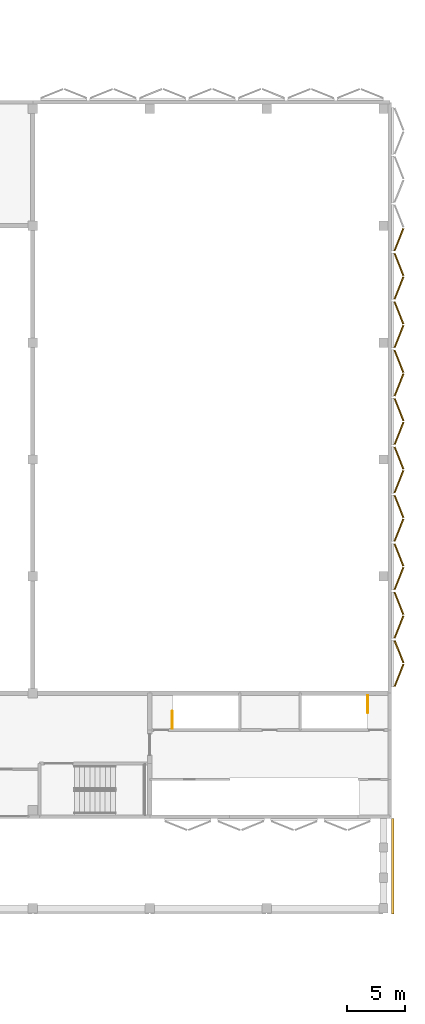
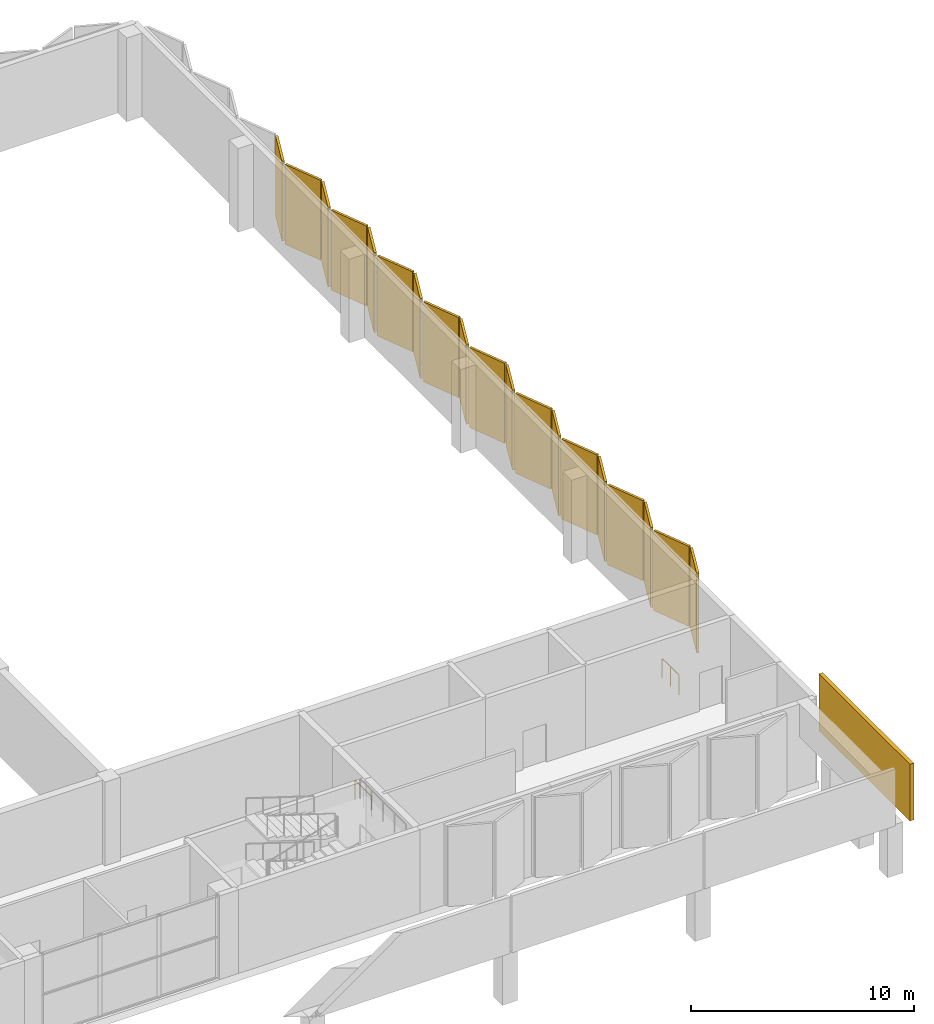
# One storey, part 34 of 36: 20 coverings, 2 railings.
"""IFC4 building model written with IfcOpenShell, lengths in metres."""

from ifc_helpers import new_model, si_unit, direction, frame, origin, origin_2d, place, context, subcontext, project, spatial, rectangle, circle, extrude, material, layer, layer_set, type_object, element, save


model = new_model("IFC4")

# Units and contexts
model_context = context("Model", 3, precision=1e-05, world=origin(), true_north=direction((0.0, 1.0)))
body_context = subcontext(model_context, "Body", "Model", "MODEL_VIEW")
ifc_project = project(units=[si_unit("LENGTHUNIT", "METRE"), si_unit("AREAUNIT", "SQUARE_METRE"), si_unit("VOLUMEUNIT", "CUBIC_METRE"), si_unit("PLANEANGLEUNIT", "RADIAN"), si_unit("MASSUNIT", "GRAM", prefix="KILO")], contexts=[model_context])

# Site, building, storey
site_placement = place(None, origin())
site = spatial("IfcSite", under=ifc_project, at=site_placement, CompositionType="ELEMENT")
building_placement = place(site_placement, origin())
building = spatial("IfcBuilding", under=site, at=building_placement, Name="Jabali Bay Hotel Tower and Convention Centre", CompositionType="ELEMENT")
storey_placement = place(building_placement, frame((0.0, 0.0, 20.39990234375)))
storey = spatial("IfcBuildingStorey", under=building, at=storey_placement, Name="L03", CompositionType="ELEMENT", Elevation=20.39990234375)

# Coverings
ifc_material_1 = material(Name="Precast concrete C40/50", Category="concrete")
ifc_layer_1 = layer(ifc_material_1, 0.1201171875)
ifc_layer_set_1 = layer_set([ifc_layer_1], Name="Precast concrete C40/50")
covering_type_1 = type_object("IfcCoveringType", Name="CC Screen blade 4000 x 4390", PredefinedType="CLADDING", material=ifc_layer_set_1)
for number, where, z_axis, x_axis, name in (
    (1, (252.021728515625, 61.5322265625, 0.10009765625), (0.0, 0.0, 1.0), (0.371390668473, 0.928476694038, 0.0), "CC pierced screen E03.1 blade 1"),
    (2, (252.021728515625, 63.55224609375, 0.10009765625), (0.0, 0.0, 1.0), (0.371390668473, -0.928476694038, 0.0), "CC pierced screen E03.1 blade 2"),
    (3, (252.021728515625, 65.674560546875, 0.10009765625), (0.0, 0.0, 1.0), (0.371390668473, 0.928476694038, 0.0), "CC pierced screen E03.2 blade 1"),
    (4, (252.021728515625, 67.694580078125, 0.10009765625), (0.0, 0.0, 1.0), (0.371390668473, -0.928476694038, 0.0), "CC pierced screen E03.2 blade 2"),
    (5, (252.021728515625, 69.81689453125, 0.10009765625), (0.0, 0.0, 1.0), (0.371390668473, 0.928476694038, 0.0), "CC pierced screen E03.3 blade 1"),
    (6, (252.021728515625, 71.8369140625, 0.10009765625), (0.0, 0.0, 1.0), (0.371390668473, -0.928476694038, 0.0), "CC pierced screen E03.3 blade 2"),
    (7, (252.021728515625, 73.959228515625, 0.10009765625), (0.0, 0.0, 1.0), (0.371390668473, 0.928476694038, 0.0), "CC pierced screen E03.4 blade 1"),
    (8, (252.021728515625, 75.979248046875, 0.10009765625), (0.0, 0.0, 1.0), (0.371390668473, -0.928476694038, 0.0), "CC pierced screen E03.4 blade 2"),
    (9, (252.021728515625, 78.1015625, 0.10009765625), (0.0, 0.0, 1.0), (0.371390668473, 0.928476694038, 0.0), "CC pierced screen E03.5 blade 1"),
    (10, (252.021728515625, 80.12158203125, 0.10009765625), (0.0, 0.0, 1.0), (0.371390668473, -0.928476694038, 0.0), "CC pierced screen E03.5 blade 2"),
    (11, (252.021728515625, 82.243896484375, 0.10009765625), (0.0, 0.0, 1.0), (0.371390668473, 0.928476694038, 0.0), "CC pierced screen E03.6 blade 1"),
    (12, (252.021728515625, 84.263916015625, 0.10009765625), (0.0, 0.0, 1.0), (0.371390668473, -0.928476694038, 0.0), "CC pierced screen E03.6 blade 2"),
    (13, (252.021728515625, 86.38623046875, 0.10009765625), (0.0, 0.0, 1.0), (0.371390668473, 0.928476694038, 0.0), "CC pierced screen E03.7 blade 1"),
    (14, (252.021728515625, 88.40625, 0.10009765625), (0.0, 0.0, 1.0), (0.371390668473, -0.928476694038, 0.0), "CC pierced screen E03.7 blade 2"),
    (15, (252.021728515625, 90.528564453125, 0.10009765625), (0.0, 0.0, 1.0), (0.371390668473, 0.928476694038, 0.0), "CC pierced screen E03.8 blade 1"),
    (16, (252.021728515625, 92.548583984375, 0.10009765625), (0.0, 0.0, 1.0), (0.371390668473, -0.928476694038, 0.0), "CC pierced screen E03.8 blade 2"),
    (17, (252.021728515625, 94.670654296875, 0.10009765625), (0.0, 0.0, 1.0), (0.371390668473, 0.928476694038, 0.0), "CC pierced screen E03.9 blade 1"),
    (18, (252.021728515625, 96.690673828125, 0.10009765625), (0.0, 0.0, 1.0), (0.371390668473, -0.928476694038, 0.0), "CC pierced screen E03.9 blade 2"),
    (19, (252.021728515625, 98.81298828125, 0.10009765625), (0.0, 0.0, 1.0), (0.371390668473, 0.928476694038, 0.0), "CC pierced screen E03.10 blade 1"),
):
    element("IfcCovering", number, at=place(storey_placement, frame(where, z_axis=z_axis, x_axis=x_axis)), inside=storey, type_object=covering_type_1, Name=name, PredefinedType="CLADDING", context=body_context, shape_type="SweptSolid", body=[
        extrude(rectangle(XDim=2.02490234375, YDim=0.1201171875, at=origin_2d()), origin(), (0.0, 0.0, 1.0), 4.389892578125),
    ])
ifc_layer_2 = layer(ifc_material_1, 0.199951171875)
ifc_layer_set_2 = layer_set([ifc_layer_2], Name="Precast concrete C40/50")
covering_type_2 = type_object("IfcCoveringType", Name="CC South roof rim panel", PredefinedType="CLADDING", material=ifc_layer_set_2)
covering_placement = place(storey_placement, frame((251.5, 45.199951171875, 2.7900390625), z_axis=(0.0, 0.0, 1.0), x_axis=(1.0, 0.0, 0.0)))
element("IfcCovering", 20, at=covering_placement, inside=storey, type_object=covering_type_2, Name="CC south roof rim end east", PredefinedType="CLADDING", context=body_context, shape_type="SweptSolid", body=[
    extrude(rectangle(XDim=0.199951171875, YDim=8.199951171875, at=origin_2d()), origin(), (0.0, 0.0, 1.0), 3.110107421875),
])

# Railings
ifc_material_2 = material(Name="Stainless steel 304", Category="steel")
railing_type = type_object("IfcRailingType", Name="CC Stair Guard 1100", PredefinedType="GUARDRAIL", material=ifc_material_2)
railing_1_placement = place(storey_placement, frame((249.35009765625, 59.824951171875, 0.0)))
element("IfcRailing", 21, at=railing_1_placement, inside=storey, type_object=railing_type, Name="L03 CC-STEA top well guard 1", PredefinedType="GUARDRAIL", context=body_context, shape_type="SweptSolid", body=[
    extrude(circle(Radius=0.02392578125, at=origin_2d()), frame((0.0, 0.0, 1.076171875), z_axis=(0.0, -1.0, 0.0), x_axis=(1.0, 0.0, 0.0)), (0.0, 0.0, 1.0), 1.5),
    extrude(circle(Radius=0.02099609375, at=origin_2d()), origin(), (0.0, 0.0, 1.0), 1.052001953125),
    extrude(circle(Radius=0.02099609375, at=origin_2d()), frame((0.0, -0.75, 0.0)), (0.0, 0.0, 1.0), 1.052001953125),
    extrude(circle(Radius=0.02099609375, at=origin_2d()), frame((0.0, -1.5, 0.0)), (0.0, 0.0, 1.0), 1.052001953125),
])
railing_2_placement = place(storey_placement, frame((232.625, 56.97509765625, 0.0)))
element("IfcRailing", 22, at=railing_2_placement, inside=storey, type_object=railing_type, Name="L03 CC-STEB top well guard 1", PredefinedType="GUARDRAIL", context=body_context, shape_type="SweptSolid", body=[
    extrude(circle(Radius=0.02392578125, at=origin_2d()), frame((0.0, 0.0, 1.076171875), z_axis=(0.0, 1.0, 0.0), x_axis=(-1.0, 0.0, 0.0)), (0.0, 0.0, 1.0), 1.5),
    extrude(circle(Radius=0.02099609375, at=origin_2d()), origin(), (0.0, 0.0, 1.0), 1.052001953125),
    extrude(circle(Radius=0.02099609375, at=origin_2d()), frame((0.0, 0.75, 0.0)), (0.0, 0.0, 1.0), 1.052001953125),
    extrude(circle(Radius=0.02099609375, at=origin_2d()), frame((0.0, 1.5, 0.0)), (0.0, 0.0, 1.0), 1.052001953125),
])

save(model, "model.ifc")
